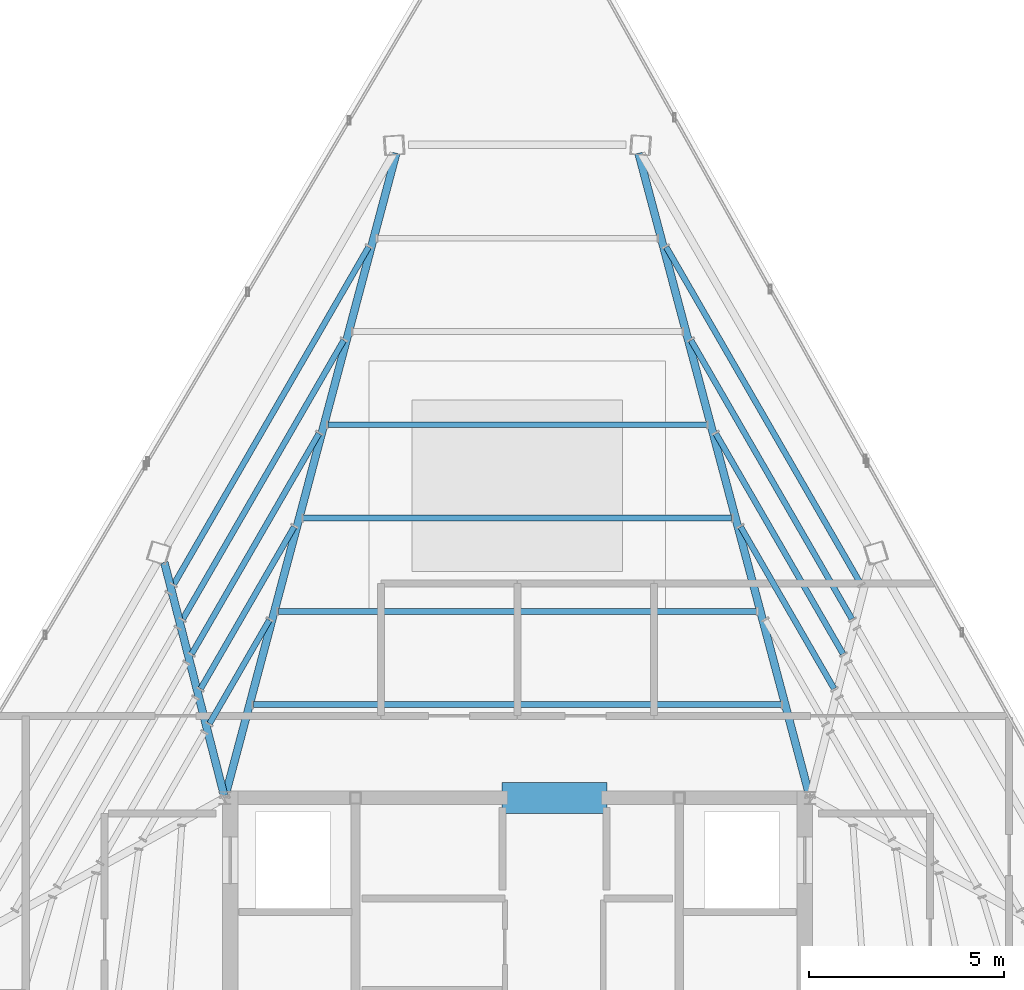
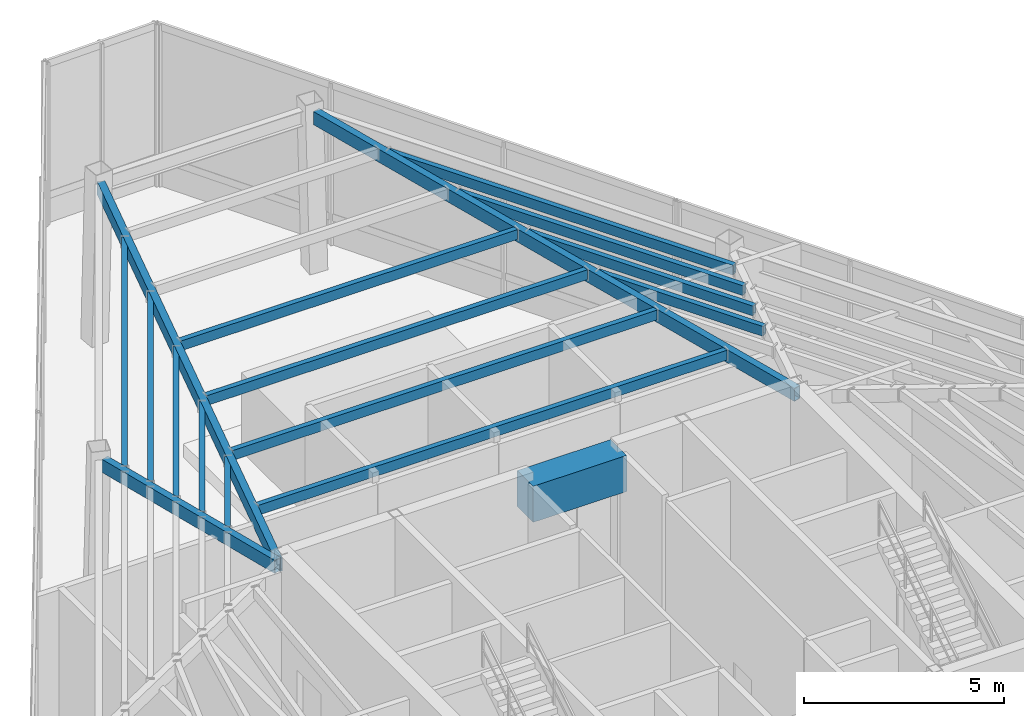
# One storey, part 11 of 25: 17 beams.
"""IFC4 building model written with IfcOpenShell, lengths in metres."""

from ifc_helpers import new_model, si_unit, direction, frame, origin, origin_2d, place, context, subcontext, project, spatial, rectangle, hollow_rectangle, extrude, source, transform, mapped, material, material_profile, profile_set, type_object, type_shapes, element, save


model = new_model("IFC4")

# Units and contexts
model_context = context("Model", 3, precision=1e-05, world=origin(), true_north=direction((0.0, 1.0)))
body_context = subcontext(model_context, "Body", "Model", "MODEL_VIEW")
ifc_project = project(units=[si_unit("LENGTHUNIT", "METRE"), si_unit("AREAUNIT", "SQUARE_METRE"), si_unit("VOLUMEUNIT", "CUBIC_METRE"), si_unit("PLANEANGLEUNIT", "RADIAN"), si_unit("MASSUNIT", "GRAM", prefix="KILO")], contexts=[model_context])

# Site, building, storey
site_placement = place(None, origin())
site = spatial("IfcSite", under=ifc_project, at=site_placement, CompositionType="ELEMENT")
building_placement = place(site_placement, origin())
building = spatial("IfcBuilding", under=site, at=building_placement, Name="Caelisora Broadcast Tower", CompositionType="ELEMENT")
storey_placement = place(building_placement, frame((0.0, 0.0, 284.60009765625)))
storey = spatial("IfcBuildingStorey", under=building, at=storey_placement, Name="L75", CompositionType="ELEMENT", Elevation=284.60009765625)

# Beams
ifc_material_1 = material(Name="Concrete 65 MPa (AS 3600 S65)", Category="concrete")
ifc_material_profile_1 = material_profile(ifc_material_1, rectangle(XDim=0.800048828125, YDim=1.10009765625, at=origin_2d()), Name="Concrete 65 MPa (AS 3600 S65)")
ifc_profile_set_1 = profile_set([ifc_material_profile_1], Name="Concrete 65 MPa (AS 3600 S65)")
beam_type_1 = type_object("IfcBeamType", Name="CB01", PredefinedType="LINTEL", material=ifc_profile_set_1)
shared_shape_1 = source(origin(), body_context, "Body", "SweptSolid", [
    extrude(rectangle(XDim=0.800048828125, YDim=1.10009765625, at=origin_2d()), origin(), (0.0, 0.0, 1.0), 2.699951171875),
])
type_shapes(beam_type_1, [shared_shape_1])
beam_1_placement = place(storey_placement, frame((37.60009765625, 30.0, 4.39990234375), z_axis=(1.0, 0.0, 0.0), x_axis=(0.0, 1.0, 0.0)))
element("IfcBeam", 1, at=beam_1_placement, inside=storey, type_object=beam_type_1, Name="L75 beam CB01", PredefinedType="LINTEL", context=body_context, shape_type="MappedRepresentation", body=[
    mapped(shared_shape_1, transform((0.0, 0.0, 0.0), scale=1.0)),
])
ifc_material_2 = material(Name="Steel Grade 350 (AS/NZS 1163 C350L0)", Category="steel")
ifc_material_profile_2 = material_profile(ifc_material_2, hollow_rectangle(XDim=0.199951171875, YDim=0.39990234375, WallThickness=0.012451171875, at=origin_2d()), Name="Steel Grade 350 (AS/NZS 1163 C350L0)")
ifc_profile_set_2 = profile_set([ifc_material_profile_2], Name="Steel Grade 350 (AS/NZS 1163 C350L0)")
beam_type_2 = type_object("IfcBeamType", Name="PG07", PredefinedType="BEAM", material=ifc_profile_set_2)
shared_shape_2 = source(origin(), body_context, "Body", "SweptSolid", [
    extrude(hollow_rectangle(XDim=0.199951171875, YDim=0.39990234375, WallThickness=0.012451171875, at=origin_2d()), origin(), (0.0, 0.0, 1.0), 17.03564453125),
])
for number, where, z_axis, x_axis, name in (
    (2, (45.484619140625, 30.05810546875, 4.75), (-0.257102440132, 0.966384155126, 0.0), (-0.966384155126, -0.257102440132, 0.0), "L75 beam PG07"),
    (3, (30.515380859375, 30.05810546875, 4.75), (0.257102440132, 0.966384155126, 0.0), (-0.966384155126, 0.257102440132, 0.0), "L75 beam PG07"),
):
    element("IfcBeam", number, at=place(storey_placement, frame(where, z_axis=z_axis, x_axis=x_axis)), inside=storey, type_object=beam_type_2, Name=name, PredefinedType="BEAM", context=body_context, shape_type="MappedRepresentation", body=[
        mapped(shared_shape_2, transform((0.0, 0.0, 0.0), scale=1.0)),
    ])
shared_shape_3 = source(origin(), body_context, "Body", "SweptSolid", [
    extrude(hollow_rectangle(XDim=0.199951171875, YDim=0.39990234375, WallThickness=0.012451171875, at=origin_2d()), origin(), (0.0, 0.0, 1.0), 6.169189453125),
])
type_shapes(beam_type_2, [shared_shape_2, shared_shape_3])
beam_2_placement = place(storey_placement, frame((30.485107421875, 30.05810546875, 4.75), z_axis=(-0.248527688164, 0.968624792278, 0.0), x_axis=(-0.968624792278, -0.248527688164, 0.0)))
element("IfcBeam", 4, at=beam_2_placement, inside=storey, type_object=beam_type_2, Name="L75 beam PG07", PredefinedType="BEAM", context=body_context, shape_type="MappedRepresentation", body=[
    mapped(shared_shape_3, transform((0.0, 0.0, 0.0), scale=1.0)),
])
ifc_material_profile_3 = material_profile(ifc_material_2, hollow_rectangle(XDim=0.14990234375, YDim=0.300048828125, WallThickness=0.010009765625, at=origin_2d()), Name="Steel Grade 350 (AS/NZS 1163 C350L0)")
ifc_profile_set_3 = profile_set([ifc_material_profile_3], Name="Steel Grade 350 (AS/NZS 1163 C350L0)")
beam_type_3 = type_object("IfcBeamType", Name="SB05", PredefinedType="JOIST", material=ifc_profile_set_3)
shared_shape_4 = source(origin(), body_context, "Body", "SweptSolid", [
    extrude(hollow_rectangle(XDim=0.14990234375, YDim=0.300048828125, WallThickness=0.010009765625, at=origin_2d()), origin(), (0.0, 0.0, 1.0), 13.52685546875),
])
beam_3_placement = place(storey_placement, frame((44.763427734375, 32.390380859375, 4.7998046875), z_axis=(-1.0, 0.0, 0.0), x_axis=(0.0, -1.0, 0.0)))
element("IfcBeam", 5, at=beam_3_placement, inside=storey, type_object=beam_type_3, Name="L75 beam SB05", PredefinedType="JOIST", context=body_context, shape_type="MappedRepresentation", body=[
    mapped(shared_shape_4, transform((0.0, 0.0, 0.0), scale=1.0)),
])
shared_shape_5 = source(origin(), body_context, "Body", "SweptSolid", [
    extrude(hollow_rectangle(XDim=0.14990234375, YDim=0.300048828125, WallThickness=0.010009765625, at=origin_2d()), origin(), (0.0, 0.0, 1.0), 12.25537109375),
])
beam_4_placement = place(storey_placement, frame((44.127685546875, 34.781005859375, 4.7998046875), z_axis=(-1.0, 0.0, 0.0), x_axis=(0.0, -1.0, 0.0)))
element("IfcBeam", 6, at=beam_4_placement, inside=storey, type_object=beam_type_3, Name="L75 beam SB05", PredefinedType="JOIST", context=body_context, shape_type="MappedRepresentation", body=[
    mapped(shared_shape_5, transform((0.0, 0.0, 0.0), scale=1.0)),
])
shared_shape_6 = source(origin(), body_context, "Body", "SweptSolid", [
    extrude(hollow_rectangle(XDim=0.14990234375, YDim=0.300048828125, WallThickness=0.010009765625, at=origin_2d()), origin(), (0.0, 0.0, 1.0), 10.9833984375),
])
beam_5_placement = place(storey_placement, frame((43.49169921875, 37.17138671875, 4.7998046875), z_axis=(-1.0, 0.0, 0.0), x_axis=(0.0, -1.0, 0.0)))
element("IfcBeam", 7, at=beam_5_placement, inside=storey, type_object=beam_type_3, Name="L75 beam SB05", PredefinedType="JOIST", context=body_context, shape_type="MappedRepresentation", body=[
    mapped(shared_shape_6, transform((0.0, 0.0, 0.0), scale=1.0)),
])
shared_shape_7 = source(origin(), body_context, "Body", "SweptSolid", [
    extrude(hollow_rectangle(XDim=0.14990234375, YDim=0.300048828125, WallThickness=0.010009765625, at=origin_2d()), origin(), (0.0, 0.0, 1.0), 9.71142578125),
])
beam_6_placement = place(storey_placement, frame((42.855712890625, 39.56201171875, 4.7998046875), z_axis=(-1.0, 0.0, 0.0), x_axis=(0.0, -1.0, 0.0)))
element("IfcBeam", 8, at=beam_6_placement, inside=storey, type_object=beam_type_3, Name="L75 beam SB05", PredefinedType="JOIST", context=body_context, shape_type="MappedRepresentation", body=[
    mapped(shared_shape_7, transform((0.0, 0.0, 0.0), scale=1.0)),
])
shared_shape_8 = source(origin(), body_context, "Body", "SweptSolid", [
    extrude(hollow_rectangle(XDim=0.14990234375, YDim=0.300048828125, WallThickness=0.010009765625, at=origin_2d()), origin(), (0.0, 0.0, 1.0), 3.0595703125),
])
beam_7_placement = place(storey_placement, frame((31.641845703125, 34.5556640625, 4.7998046875), z_axis=(-0.500001049025, -0.866024798128, 0.0), x_axis=(0.866024798128, -0.500001049025, 0.0)))
element("IfcBeam", 9, at=beam_7_placement, inside=storey, type_object=beam_type_3, Name="L75 beam SB05", PredefinedType="JOIST", context=body_context, shape_type="MappedRepresentation", body=[
    mapped(shared_shape_8, transform((0.0, 0.0, 0.0), scale=1.0)),
])
shared_shape_9 = source(origin(), body_context, "Body", "SweptSolid", [
    extrude(hollow_rectangle(XDim=0.14990234375, YDim=0.300048828125, WallThickness=0.010009765625, at=origin_2d()), origin(), (0.0, 0.0, 1.0), 4.78955078125),
])
for number, where, z_axis, x_axis, name in (
    (10, (32.27783203125, 36.9462890625, 4.7998046875), (-0.499993077603, -0.866029400395, 0.0), (0.866029400395, -0.499993077603, 0.0), "L75 beam SB05"),
    (11, (46.116943359375, 32.79833984375, 4.7998046875), (-0.499993077603, 0.866029400395, 0.0), (-0.866029400395, -0.499993077603, 0.0), "L75 beam SB05"),
):
    element("IfcBeam", number, at=place(storey_placement, frame(where, z_axis=z_axis, x_axis=x_axis)), inside=storey, type_object=beam_type_3, Name=name, PredefinedType="JOIST", context=body_context, shape_type="MappedRepresentation", body=[
        mapped(shared_shape_9, transform((0.0, 0.0, 0.0), scale=1.0)),
    ])
shared_shape_10 = source(origin(), body_context, "Body", "SweptSolid", [
    extrude(hollow_rectangle(XDim=0.14990234375, YDim=0.300048828125, WallThickness=0.010009765625, at=origin_2d()), origin(), (0.0, 0.0, 1.0), 6.51904296875),
])
for number, where, z_axis, x_axis, name in (
    (12, (32.913818359375, 39.336669921875, 4.7998046875), (-0.499993681017, -0.86602905202, 0.0), (0.86602905202, -0.499993681017, 0.0), "L75 beam SB05"),
    (13, (46.345703125, 33.69091796875, 4.7998046875), (-0.499993681017, 0.86602905202, 0.0), (-0.86602905202, -0.499993681017, 0.0), "L75 beam SB05"),
):
    element("IfcBeam", number, at=place(storey_placement, frame(where, z_axis=z_axis, x_axis=x_axis)), inside=storey, type_object=beam_type_3, Name=name, PredefinedType="JOIST", context=body_context, shape_type="MappedRepresentation", body=[
        mapped(shared_shape_10, transform((0.0, 0.0, 0.0), scale=1.0)),
    ])
shared_shape_11 = source(origin(), body_context, "Body", "SweptSolid", [
    extrude(hollow_rectangle(XDim=0.14990234375, YDim=0.300048828125, WallThickness=0.010009765625, at=origin_2d()), origin(), (0.0, 0.0, 1.0), 8.249267578125),
])
for number, where, z_axis, x_axis, name in (
    (14, (33.5498046875, 41.727294921875, 4.7998046875), (-0.499990597911, -0.866030832015, 0.0), (0.866030832015, -0.499990597911, 0.0), "L75 beam SB05"),
    (15, (46.57470703125, 34.583251953125, 4.7998046875), (-0.499990597911, 0.866030832015, 0.0), (-0.866030832015, -0.499990597911, 0.0), "L75 beam SB05"),
):
    element("IfcBeam", number, at=place(storey_placement, frame(where, z_axis=z_axis, x_axis=x_axis)), inside=storey, type_object=beam_type_3, Name=name, PredefinedType="JOIST", context=body_context, shape_type="MappedRepresentation", body=[
        mapped(shared_shape_11, transform((0.0, 0.0, 0.0), scale=1.0)),
    ])
shared_shape_12 = source(origin(), body_context, "Body", "SweptSolid", [
    extrude(hollow_rectangle(XDim=0.14990234375, YDim=0.300048828125, WallThickness=0.010009765625, at=origin_2d()), origin(), (0.0, 0.0, 1.0), 9.97900390625),
])
type_shapes(beam_type_3, [shared_shape_4, shared_shape_5, shared_shape_6, shared_shape_7, shared_shape_8, shared_shape_9, shared_shape_10, shared_shape_11, shared_shape_12])
for number, where, z_axis, x_axis, name in (
    (16, (34.185791015625, 44.11767578125, 4.7998046875), (-0.499999177435, -0.866025878692, 0.0), (0.866025878692, -0.499999177435, 0.0), "L75 beam SB05"),
    (17, (46.8037109375, 35.4755859375, 4.7998046875), (-0.499999177435, 0.866025878692, 0.0), (-0.866025878692, -0.499999177435, 0.0), "L75 beam SB05"),
):
    element("IfcBeam", number, at=place(storey_placement, frame(where, z_axis=z_axis, x_axis=x_axis)), inside=storey, type_object=beam_type_3, Name=name, PredefinedType="JOIST", context=body_context, shape_type="MappedRepresentation", body=[
        mapped(shared_shape_12, transform((0.0, 0.0, 0.0), scale=1.0)),
    ])

save(model, "model.ifc")
